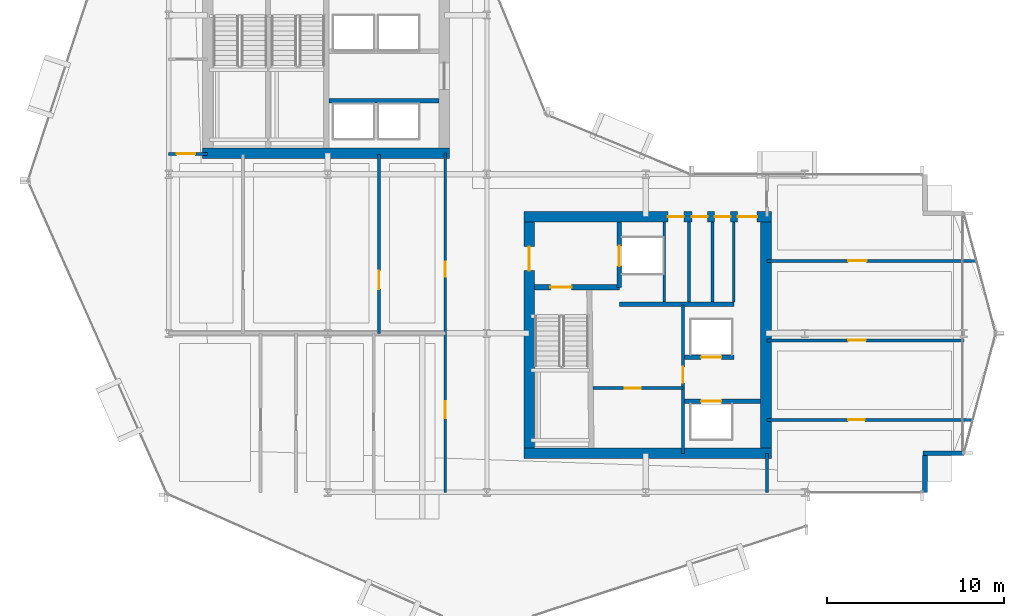
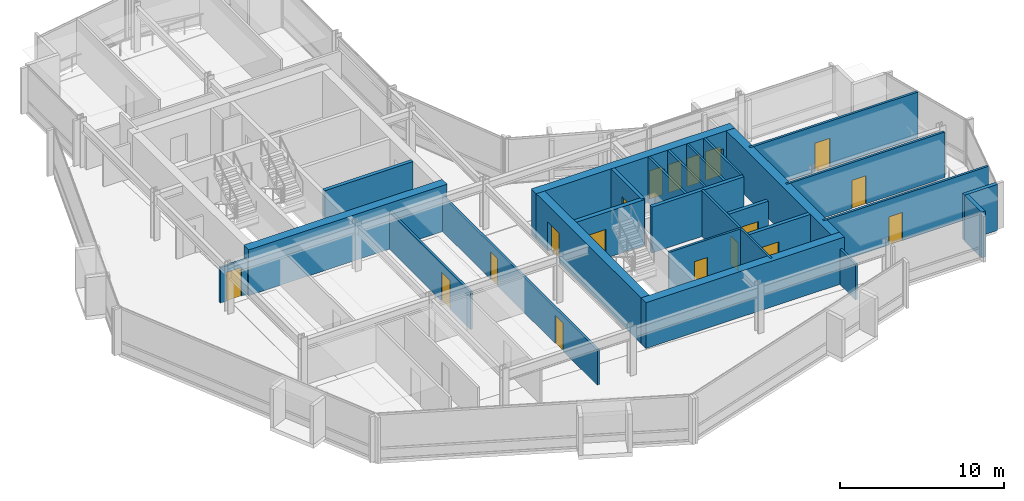
# One storey, part 22 of 29: 26 walls, 18 doors, 18 openings.
"""IFC4 building model written with IfcOpenShell, lengths in metres."""

from ifc_helpers import new_model, si_unit, direction, frame, frame_2d, origin, place, context, subcontext, project, spatial, rectangle, extrude, material, layer, layer_set, type_object, element, fill, save


model = new_model("IFC4")

# Units and contexts
model_context = context("Model", 3, precision=1e-05, world=origin(), true_north=direction((0.0, 1.0)))
body_context = subcontext(model_context, "Body", "Model", "MODEL_VIEW")
ifc_project = project(units=[si_unit("LENGTHUNIT", "METRE"), si_unit("AREAUNIT", "SQUARE_METRE"), si_unit("VOLUMEUNIT", "CUBIC_METRE"), si_unit("PLANEANGLEUNIT", "RADIAN"), si_unit("MASSUNIT", "GRAM", prefix="KILO")], contexts=[model_context])

# Site, building, storey
site_placement = place(None, origin())
site = spatial("IfcSite", under=ifc_project, at=site_placement, CompositionType="ELEMENT")
building_placement = place(site_placement, origin())
building = spatial("IfcBuilding", under=site, at=building_placement, Name="Solvaryn Broadcast Tower", CompositionType="ELEMENT")
storey_placement = place(building_placement, frame((0.0, 0.0, 117.39990234375)))
storey = spatial("IfcBuildingStorey", under=building, at=storey_placement, Name="L28", CompositionType="ELEMENT", Elevation=117.39990234375)

# Walls
ifc_material_1 = material(Name="Concrete f'c 70 MPa", Category="concrete")
ifc_layer_1 = layer(ifc_material_1, 0.60009765625)
ifc_layer_set_1 = layer_set([ifc_layer_1], Name="CW-SHEAR-600")
wall_type_1 = type_object("IfcWallType", Name="CW-SHEAR-600", PredefinedType="SHEAR", material=ifc_layer_set_1)
for number, where, z_axis, x_axis, name in (
    (1, (10.89990234375, 28.199951171875, 0.0), (0.0, 0.0, 1.0), (1.0, 0.0, 0.0), "L28 West Core South Shear Wall"),
    (2, (29.10009765625, 11.199951171875, 0.0), (0.0, 0.0, 1.0), (1.0, 0.0, 0.0), "L28 East Core South Shear Wall"),
):
    element("IfcWall", number, at=place(storey_placement, frame(where, z_axis=z_axis, x_axis=x_axis)), inside=storey, type_object=wall_type_1, Name=name, PredefinedType="SHEAR", context=body_context, shape_type="SweptSolid", body=[
        extrude(rectangle(XDim=14.0, YDim=0.60009765625, at=frame_2d((7.0, 0.0))), origin(), (0.0, 0.0, 1.0), 3.420166015625),
    ])

# Wall, openings, doors
wall_1_placement = place(storey_placement, frame((43.10009765625, 24.60009765625, 0.0), z_axis=(0.0, 0.0, 1.0), x_axis=(-1.0, 0.0, 0.0)))
wall_1 = element("IfcWall", 3, at=wall_1_placement, inside=storey, type_object=wall_type_1, Name="L28 East Core North Shear Wall", PredefinedType="SHEAR", context=body_context, shape_type="SweptSolid", body=[
    extrude(rectangle(XDim=14.0, YDim=0.60009765625, at=frame_2d((7.0, 0.0))), origin(), (0.0, 0.0, 1.0), 3.420166015625),
])
opening_1_placement = place(wall_1_placement, frame((0.800048828125, 0.0, 0.0)))
opening_1 = element("IfcOpeningElement", 4, at=opening_1_placement, cuts=wall_1, Name="Opening FD90C", PredefinedType="OPENING", context=body_context, shape_type="SweptSolid", body=[
    extrude(rectangle(XDim=1.10009765625, YDim=2.14990234375, at=frame_2d((0.550048828125, 1.074951171875))), frame((0.0, 0.31005859375, 0.0), z_axis=(0.0, -1.0, 0.0), x_axis=(1.0, 0.0, 0.0)), (0.0, 0.0, 1.0), 0.6201171875),
])
opening_2_placement = place(wall_1_placement, frame((2.300048828125, 0.0, 0.0)))
opening_2 = element("IfcOpeningElement", 5, at=opening_2_placement, cuts=wall_1, Name="Opening FD60C", PredefinedType="OPENING", context=body_context, shape_type="SweptSolid", body=[
    extrude(rectangle(XDim=0.89990234375, YDim=2.10009765625, at=frame_2d((0.449951171875, 1.050048828125))), frame((0.0, 0.31005859375, 0.0), z_axis=(0.0, -1.0, 0.0), x_axis=(1.0, 0.0, 0.0)), (0.0, 0.0, 1.0), 0.6201171875),
])
opening_3_placement = place(wall_1_placement, frame((3.60009765625, 0.0, 0.0)))
opening_3 = element("IfcOpeningElement", 6, at=opening_3_placement, cuts=wall_1, Name="Opening FD60C", PredefinedType="OPENING", context=body_context, shape_type="SweptSolid", body=[
    extrude(rectangle(XDim=0.89990234375, YDim=2.10009765625, at=frame_2d((0.449951171875, 1.050048828125))), frame((0.0, 0.31005859375, 0.0), z_axis=(0.0, -1.0, 0.0), x_axis=(1.0, 0.0, 0.0)), (0.0, 0.0, 1.0), 0.6201171875),
])
opening_4_placement = place(wall_1_placement, frame((4.949951171875, 0.0, 0.0)))
opening_4 = element("IfcOpeningElement", 7, at=opening_4_placement, cuts=wall_1, Name="Opening FD60C", PredefinedType="OPENING", context=body_context, shape_type="SweptSolid", body=[
    extrude(rectangle(XDim=0.89990234375, YDim=2.10009765625, at=frame_2d((0.449951171875, 1.050048828125))), frame((0.0, 0.31005859375, 0.0), z_axis=(0.0, -1.0, 0.0), x_axis=(1.0, 0.0, 0.0)), (0.0, 0.0, 1.0), 0.6201171875),
])
ifc_material_2 = material(Name="Flush Acoustic Steel and Timber Door Assembly", Category="steel")
door_type_1 = type_object("IfcDoorType", Name="FD60-SERV-900X2100", OperationType="NOTDEFINED", PredefinedType="DOOR", material=ifc_material_2)
door_1_placement = place(opening_2_placement, origin())
door_1 = element("IfcDoor", 8, at=door_1_placement, inside=storey, type_object=door_type_1, Name="L28 Core Wellness Room Door", OperationType="SINGLE_SWING_RIGHT", OverallHeight=2.10009765625, OverallWidth=0.89990234375, PredefinedType="DOOR", context=body_context, shape_type="SweptSolid", body=[
    extrude(rectangle(XDim=0.89990234375, YDim=2.10009765625, at=frame_2d((0.449951171875, 1.050048828125))), frame((0.0, 0.02490234375, 0.0), z_axis=(0.0, -1.0, 0.0), x_axis=(1.0, 0.0, 0.0)), (0.0, 0.0, 1.0), 0.050048828125),
])
fill(opening_2, door_1)
door_2_placement = place(opening_3_placement, origin())
door_2 = element("IfcDoor", 9, at=door_2_placement, inside=storey, type_object=door_type_1, Name="L28 Staff Restroom Door", OperationType="SINGLE_SWING_LEFT", OverallHeight=2.10009765625, OverallWidth=0.89990234375, PredefinedType="DOOR", context=body_context, shape_type="SweptSolid", body=[
    extrude(rectangle(XDim=0.89990234375, YDim=2.10009765625, at=frame_2d((0.449951171875, 1.050048828125))), frame((0.0, 0.02490234375, 0.0), z_axis=(0.0, -1.0, 0.0), x_axis=(1.0, 0.0, 0.0)), (0.0, 0.0, 1.0), 0.050048828125),
])
fill(opening_3, door_2)
door_3_placement = place(opening_4_placement, origin())
door_3 = element("IfcDoor", 10, at=door_3_placement, inside=storey, type_object=door_type_1, Name="L28 Accessible WC Door", OperationType="SINGLE_SWING_RIGHT", OverallHeight=2.10009765625, OverallWidth=0.89990234375, PredefinedType="DOOR", context=body_context, shape_type="SweptSolid", body=[
    extrude(rectangle(XDim=0.89990234375, YDim=2.10009765625, at=frame_2d((0.449951171875, 1.050048828125))), frame((0.0, 0.02490234375, 0.0), z_axis=(0.0, -1.0, 0.0), x_axis=(1.0, 0.0, 0.0)), (0.0, 0.0, 1.0), 0.050048828125),
])
fill(opening_4, door_3)
ifc_material_3 = material(Name="Flush Acoustic Steel and Timber Door Assembly", Category="steel")
door_type_2 = type_object("IfcDoorType", Name="FD90-PLANT-1100X2150", OperationType="NOTDEFINED", PredefinedType="DOOR", material=ifc_material_3)
door_4_placement = place(opening_1_placement, origin())
door_4 = element("IfcDoor", 11, at=door_4_placement, inside=storey, type_object=door_type_2, Name="L28 East Core Lobby Corridor Door", OperationType="SINGLE_SWING_LEFT", OverallHeight=2.14990234375, OverallWidth=1.10009765625, PredefinedType="DOOR", context=body_context, shape_type="SweptSolid", body=[
    extrude(rectangle(XDim=1.10009765625, YDim=2.14990234375, at=frame_2d((0.550048828125, 1.074951171875))), frame((0.0, 0.02490234375, 0.0), z_axis=(0.0, -1.0, 0.0), x_axis=(1.0, 0.0, 0.0)), (0.0, 0.0, 1.0), 0.050048828125),
])
fill(opening_1, door_4)

# Wall, opening, door
wall_2_placement = place(storey_placement, frame((29.39990234375, 24.300048828125, 0.0), z_axis=(0.0, 0.0, 1.0), x_axis=(0.0, -1.0, 0.0)))
wall_2 = element("IfcWall", 12, at=wall_2_placement, inside=storey, type_object=wall_type_1, Name="L28 East Core West Shear Wall", PredefinedType="SHEAR", context=body_context, shape_type="SweptSolid", body=[
    extrude(rectangle(XDim=12.800048828125, YDim=0.60009765625, at=frame_2d((6.39990234375, 0.0))), origin(), (0.0, 0.0, 1.0), 3.420166015625),
])
opening_5_placement = place(wall_2_placement, frame((1.39990234375, 0.0, 0.0)))
opening_5 = element("IfcOpeningElement", 13, at=opening_5_placement, cuts=wall_2, Name="Opening FD90B", PredefinedType="OPENING", context=body_context, shape_type="SweptSolid", body=[
    extrude(rectangle(XDim=1.35009765625, YDim=2.14990234375, at=frame_2d((0.675048828125, 1.074951171875))), frame((0.0, 0.31005859375, 0.0), z_axis=(0.0, -1.0, 0.0), x_axis=(1.0, 0.0, 0.0)), (0.0, 0.0, 1.0), 0.6201171875),
])
ifc_material_4 = material(Name="Flush Acoustic Steel and Timber Door Assembly", Category="steel")
door_type_3 = type_object("IfcDoorType", Name="FD90-LOBBY-1350X2150", OperationType="NOTDEFINED", PredefinedType="DOOR", material=ifc_material_4)
door_5_placement = place(opening_5_placement, origin())
door_5 = element("IfcDoor", 14, at=door_5_placement, inside=storey, type_object=door_type_3, Name="L28 East FSAE Lobby Door", OperationType="SINGLE_SWING_RIGHT", OverallHeight=2.14990234375, OverallWidth=1.35009765625, PredefinedType="DOOR", context=body_context, shape_type="SweptSolid", body=[
    extrude(rectangle(XDim=1.35009765625, YDim=2.14990234375, at=frame_2d((0.675048828125, 1.074951171875))), frame((0.0, 0.02490234375, 0.0), z_axis=(0.0, -1.0, 0.0), x_axis=(1.0, 0.0, 0.0)), (0.0, 0.0, 1.0), 0.050048828125),
])
fill(opening_5, door_5)

# Walls
wall_3_placement = place(storey_placement, frame((42.800048828125, 11.5, 0.0), z_axis=(0.0, 0.0, 1.0), x_axis=(0.0, 1.0, 0.0)))
element("IfcWall", 15, at=wall_3_placement, inside=storey, type_object=wall_type_1, Name="L28 East Core East Shear Wall", PredefinedType="SHEAR", context=body_context, shape_type="SweptSolid", body=[
    extrude(rectangle(XDim=12.800048828125, YDim=0.60009765625, at=frame_2d((6.39990234375, 0.0))), origin(), (0.0, 0.0, 1.0), 3.420166015625),
])
ifc_material_5 = material(Name="Concrete f'c 50 MPa", Category="concrete")
ifc_layer_2 = layer(ifc_material_5, 0.260009765625)
ifc_layer_set_2 = layer_set([ifc_layer_2], Name="EW-PIER-260")
wall_type_2 = type_object("IfcWallType", Name="EW-PIER-260", PredefinedType="SOLIDWALL", material=ifc_layer_set_2)
wall_4_placement = place(storey_placement, frame((51.800048828125, 9.0, 0.0), z_axis=(0.0, 0.0, 1.0), x_axis=(0.0, 1.0, 0.0)))
element("IfcWall", 16, at=wall_4_placement, inside=storey, type_object=wall_type_2, Name="L28 Notched Corner Pier Wall NSE1", PredefinedType="SOLIDWALL", context=body_context, shape_type="SweptSolid", body=[
    extrude(rectangle(XDim=2.080078125, YDim=0.260009765625, at=frame_2d((1.0400390625, 0.0))), origin(), (0.0, 0.0, 1.0), 3.420166015625),
])
wall_5_placement = place(storey_placement, frame((51.679931640625, 11.199951171875, 0.0), z_axis=(0.0, 0.0, 1.0), x_axis=(1.0, 0.0, 0.0)))
element("IfcWall", 17, at=wall_5_placement, inside=storey, type_object=wall_type_2, Name="L28 Notched Corner Pier Wall NSE2", PredefinedType="SOLIDWALL", context=body_context, shape_type="SweptSolid", body=[
    extrude(rectangle(XDim=2.320068359375, YDim=0.260009765625, at=frame_2d((1.16015625, 0.0))), origin(), (0.0, 0.0, 1.0), 3.420166015625),
])

# Wall, opening, door
ifc_material_6 = material(Name="Metal-Stud Service Core Partition")
ifc_layer_3 = layer(ifc_material_6, 0.14990234375)
ifc_layer_set_3 = layer_set([ifc_layer_3], Name="IW-PART-150")
wall_type_3 = type_object("IfcWallType", Name="IW-PART-150", PredefinedType="PARTITIONING", material=ifc_layer_set_3)
wall_6_placement = place(storey_placement, frame((33.0, 14.89990234375, 0.0), z_axis=(0.0, 0.0, 1.0), x_axis=(1.0, 0.0, 0.0)))
wall_6 = element("IfcWall", 18, at=wall_6_placement, inside=storey, type_object=wall_type_3, Name="L28 Interior Partition IW-L28-RPL-H", PredefinedType="PARTITIONING", context=body_context, shape_type="SweptSolid", body=[
    extrude(rectangle(XDim=5.10009765625, YDim=0.14990234375, at=frame_2d((2.550048828125, 0.0))), origin(), (0.0, 0.0, 1.0), 3.420166015625),
])
opening_6_placement = place(wall_6_placement, frame((1.800048828125, 0.0, 0.0)))
opening_6 = element("IfcOpeningElement", 19, at=opening_6_placement, cuts=wall_6, Name="Opening FD60C", PredefinedType="OPENING", context=body_context, shape_type="SweptSolid", body=[
    extrude(rectangle(XDim=0.89990234375, YDim=2.10009765625, at=frame_2d((0.449951171875, 1.050048828125))), frame((0.0, 0.0849609375, 0.0), z_axis=(0.0, -1.0, 0.0), x_axis=(1.0, 0.0, 0.0)), (0.0, 0.0, 1.0), 0.169921875),
])
door_6_placement = place(opening_6_placement, origin())
door_6 = element("IfcDoor", 20, at=door_6_placement, inside=storey, type_object=door_type_1, Name="L28 Door DR-L28-RPL1", OperationType="SINGLE_SWING_RIGHT", OverallHeight=2.10009765625, OverallWidth=0.89990234375, PredefinedType="DOOR", context=body_context, shape_type="SweptSolid", body=[
    extrude(rectangle(XDim=0.89990234375, YDim=2.10009765625, at=frame_2d((0.449951171875, 1.050048828125))), frame((0.0, 0.02490234375, 0.0), z_axis=(0.0, -1.0, 0.0), x_axis=(1.0, 0.0, 0.0)), (0.0, 0.0, 1.0), 0.050048828125),
])
fill(opening_6, door_6)

wall_7_placement = place(storey_placement, frame((38.10009765625, 11.199951171875, 0.0), z_axis=(0.0, 0.0, 1.0), x_axis=(0.0, 1.0, 0.0)))
wall_7 = element("IfcWall", 21, at=wall_7_placement, inside=storey, type_object=wall_type_3, Name="L28 Interior Partition IW-L28-RPL-E", PredefinedType="PARTITIONING", context=body_context, shape_type="SweptSolid", body=[
    extrude(rectangle(XDim=8.400146484375, YDim=0.14990234375, at=frame_2d((4.2001953125, 0.0))), origin(), (0.0, 0.0, 1.0), 3.420166015625),
])
opening_7_placement = place(wall_7_placement, frame((4.0, 0.0, 0.0)))
opening_7 = element("IfcOpeningElement", 22, at=opening_7_placement, cuts=wall_7, Name="Opening FD60C", PredefinedType="OPENING", context=body_context, shape_type="SweptSolid", body=[
    extrude(rectangle(XDim=0.89990234375, YDim=2.10009765625, at=frame_2d((0.449951171875, 1.050048828125))), frame((0.0, 0.0849609375, 0.0), z_axis=(0.0, -1.0, 0.0), x_axis=(1.0, 0.0, 0.0)), (0.0, 0.0, 1.0), 0.169921875),
])
door_7_placement = place(opening_7_placement, origin())
door_7 = element("IfcDoor", 23, at=door_7_placement, inside=storey, type_object=door_type_1, Name="L28 Door DR-L28-RPL2", OperationType="SINGLE_SWING_LEFT", OverallHeight=2.10009765625, OverallWidth=0.89990234375, PredefinedType="DOOR", context=body_context, shape_type="SweptSolid", body=[
    extrude(rectangle(XDim=0.89990234375, YDim=2.10009765625, at=frame_2d((0.449951171875, 1.050048828125))), frame((0.0, 0.02490234375, 0.0), z_axis=(0.0, -1.0, 0.0), x_axis=(1.0, 0.0, 0.0)), (0.0, 0.0, 1.0), 0.050048828125),
])
fill(opening_7, door_7)

# Walls
for number, where, z_axis, x_axis, name in (
    (24, (37.050048828125, 19.780029296875, 0.0), (0.0, 0.0, 1.0), (0.0, 1.0, 0.0), "L28 Interior Partition IW-L28-CE-FL2E"),
    (25, (38.43994140625, 19.780029296875, 0.0), (0.0, 0.0, 1.0), (0.0, 1.0, 0.0), "L28 Interior Partition IW-L28-CE-V1"),
    (26, (39.77001953125, 19.780029296875, 0.0), (0.0, 0.0, 1.0), (0.0, 1.0, 0.0), "L28 Interior Partition IW-L28-CE-V2"),
    (27, (40.97998046875, 19.780029296875, 0.0), (0.0, 0.0, 1.0), (0.0, 1.0, 0.0), "L28 Interior Partition IW-L28-CE-V3"),
):
    element("IfcWall", number, at=place(storey_placement, frame(where, z_axis=z_axis, x_axis=x_axis)), inside=storey, type_object=wall_type_3, Name=name, PredefinedType="PARTITIONING", context=body_context, shape_type="SweptSolid", body=[
        extrude(rectangle(XDim=4.52001953125, YDim=0.14990234375, at=frame_2d((2.260009765625, 0.0))), origin(), (0.0, 0.0, 1.0), 3.420166015625),
    ])

# Wall, opening, door
ifc_material_7 = material(Name="Metal-Stud Gypsum Office Partition")
ifc_layer_4 = layer(ifc_material_7, 0.159912109375)
ifc_layer_set_4 = layer_set([ifc_layer_4], Name="IW-PART-160")
wall_type_4 = type_object("IfcWallType", Name="IW-PART-160", PredefinedType="PARTITIONING", material=ifc_layer_set_4)
wall_8_placement = place(storey_placement, frame((9.0, 28.14990234375, 0.0), z_axis=(0.0, 0.0, 1.0), x_axis=(1.0, 0.0, 0.0)))
wall_8 = element("IfcWall", 28, at=wall_8_placement, inside=storey, type_object=wall_type_4, Name="L28 Interior Partition IW-L28-WM-S", PredefinedType="PARTITIONING", context=body_context, shape_type="SweptSolid", body=[
    extrude(rectangle(XDim=2.199951171875, YDim=0.159912109375, at=frame_2d((1.10009765625, 0.0))), origin(), (0.0, 0.0, 1.0), 2.634033203125),
])
opening_8_placement = place(wall_8_placement, frame((0.449951171875, 0.0, 0.0)))
opening_8 = element("IfcOpeningElement", 29, at=opening_8_placement, cuts=wall_8, Name="Opening ID03", PredefinedType="OPENING", context=body_context, shape_type="SweptSolid", body=[
    extrude(rectangle(XDim=1.050048828125, YDim=2.14990234375, at=frame_2d((0.52490234375, 1.074951171875))), frame((0.0, 0.090087890625, 0.0), z_axis=(0.0, -1.0, 0.0), x_axis=(1.0, 0.0, 0.0)), (0.0, 0.0, 1.0), 0.179931640625),
])
ifc_material_8 = material(Name="Flush Acoustic Steel and Timber Door Assembly", Category="steel")
door_type_4 = type_object("IfcDoorType", Name="ID-03-1050X2150", OperationType="NOTDEFINED", PredefinedType="DOOR", material=ifc_material_8)
door_8_placement = place(opening_8_placement, origin())
door_8 = element("IfcDoor", 30, at=door_8_placement, inside=storey, type_object=door_type_4, Name="L28 Door DR-L28-WM0", OperationType="SINGLE_SWING_LEFT", OverallHeight=2.14990234375, OverallWidth=1.050048828125, PredefinedType="DOOR", context=body_context, shape_type="SweptSolid", body=[
    extrude(rectangle(XDim=1.050048828125, YDim=2.14990234375, at=frame_2d((0.52490234375, 1.074951171875))), frame((0.0, 0.02490234375, 0.0), z_axis=(0.0, -1.0, 0.0), x_axis=(1.0, 0.0, 0.0)), (0.0, 0.0, 1.0), 0.050048828125),
])
fill(opening_8, door_8)

# Wall, openings, doors
wall_9_placement = place(storey_placement, frame((24.64990234375, 9.0, 0.0), z_axis=(0.0, 0.0, 1.0), x_axis=(0.0, 1.0, 0.0)))
wall_9 = element("IfcWall", 31, at=wall_9_placement, inside=storey, type_object=wall_type_4, Name="L28 Interior Partition IW-L28-SW-EB", PredefinedType="PARTITIONING", context=body_context, shape_type="SweptSolid", body=[
    extrude(rectangle(XDim=19.199951171875, YDim=0.159912109375, at=frame_2d((9.60009765625, 0.0))), origin(), (0.0, 0.0, 1.0), 2.634033203125),
])
opening_9_placement = place(wall_9_placement, frame((12.199951171875, 0.0, 0.0)))
opening_9 = element("IfcOpeningElement", 32, at=opening_9_placement, cuts=wall_9, Name="Opening ID07", PredefinedType="OPENING", context=body_context, shape_type="SweptSolid", body=[
    extrude(rectangle(XDim=0.860107421875, YDim=2.050048828125, at=frame_2d((0.43017578125, 1.02490234375))), frame((0.0, 0.090087890625, 0.0), z_axis=(0.0, -1.0, 0.0), x_axis=(1.0, 0.0, 0.0)), (0.0, 0.0, 1.0), 0.179931640625),
])
opening_10_placement = place(wall_9_placement, frame((4.199951171875, 0.0, 0.0)))
opening_10 = element("IfcOpeningElement", 33, at=opening_10_placement, cuts=wall_9, Name="Opening ID01", PredefinedType="OPENING", context=body_context, shape_type="SweptSolid", body=[
    extrude(rectangle(XDim=0.949951171875, YDim=2.10009765625, at=frame_2d((0.47509765625, 1.050048828125))), frame((0.0, 0.090087890625, 0.0), z_axis=(0.0, -1.0, 0.0), x_axis=(1.0, 0.0, 0.0)), (0.0, 0.0, 1.0), 0.179931640625),
])
ifc_material_9 = material(Name="Flush Acoustic Steel and Timber Door Assembly", Category="steel")
door_type_5 = type_object("IfcDoorType", Name="ID-01-950X2100", OperationType="NOTDEFINED", PredefinedType="DOOR", material=ifc_material_9)
door_9_placement = place(opening_10_placement, origin())
door_9 = element("IfcDoor", 34, at=door_9_placement, inside=storey, type_object=door_type_5, Name="L28 Door DR-L28-SW-ES", OperationType="SINGLE_SWING_RIGHT", OverallHeight=2.10009765625, OverallWidth=0.949951171875, PredefinedType="DOOR", context=body_context, shape_type="SweptSolid", body=[
    extrude(rectangle(XDim=0.949951171875, YDim=2.10009765625, at=frame_2d((0.47509765625, 1.050048828125))), frame((0.0, 0.02490234375, 0.0), z_axis=(0.0, -1.0, 0.0), x_axis=(1.0, 0.0, 0.0)), (0.0, 0.0, 1.0), 0.050048828125),
])
fill(opening_10, door_9)
ifc_material_10 = material(Name="Flush Acoustic Steel and Timber Door Assembly", Category="steel")
door_type_6 = type_object("IfcDoorType", Name="ID-07-860X2050", OperationType="NOTDEFINED", PredefinedType="DOOR", material=ifc_material_10)
door_10_placement = place(opening_9_placement, origin())
door_10 = element("IfcDoor", 35, at=door_10_placement, inside=storey, type_object=door_type_6, Name="L28 Door DR-L28-SW-EN", OperationType="SINGLE_SWING_LEFT", OverallHeight=2.050048828125, OverallWidth=0.860107421875, PredefinedType="DOOR", context=body_context, shape_type="SweptSolid", body=[
    extrude(rectangle(XDim=0.860107421875, YDim=2.050048828125, at=frame_2d((0.43017578125, 1.02490234375))), frame((0.0, 0.02490234375, 0.0), z_axis=(0.0, -1.0, 0.0), x_axis=(1.0, 0.0, 0.0)), (0.0, 0.0, 1.0), 0.050048828125),
])
fill(opening_9, door_10)

# Wall, opening, door
wall_10_placement = place(storey_placement, frame((20.89990234375, 18.0, 0.0), z_axis=(0.0, 0.0, 1.0), x_axis=(0.0, 1.0, 0.0)))
wall_10 = element("IfcWall", 36, at=wall_10_placement, inside=storey, type_object=wall_type_4, Name="L28 Interior Partition IW-L28-SWN-V2", PredefinedType="PARTITIONING", context=body_context, shape_type="SweptSolid", body=[
    extrude(rectangle(XDim=10.1298828125, YDim=0.159912109375, at=frame_2d((5.06494140625, 0.0))), origin(), (0.0, 0.0, 1.0), 2.7890625),
])
opening_11_placement = place(wall_10_placement, frame((2.5, 0.0, 0.0)))
opening_11 = element("IfcOpeningElement", 37, at=opening_11_placement, cuts=wall_10, Name="Opening ID03", PredefinedType="OPENING", context=body_context, shape_type="SweptSolid", body=[
    extrude(rectangle(XDim=1.050048828125, YDim=2.14990234375, at=frame_2d((0.52490234375, 1.074951171875))), frame((0.0, 0.090087890625, 0.0), z_axis=(0.0, -1.0, 0.0), x_axis=(1.0, 0.0, 0.0)), (0.0, 0.0, 1.0), 0.179931640625),
])
door_11_placement = place(opening_11_placement, origin())
door_11 = element("IfcDoor", 38, at=door_11_placement, inside=storey, type_object=door_type_4, Name="L28 Door DR-L28-SWN-2", OperationType="SINGLE_SWING_RIGHT", OverallHeight=2.14990234375, OverallWidth=1.050048828125, PredefinedType="DOOR", context=body_context, shape_type="SweptSolid", body=[
    extrude(rectangle(XDim=1.050048828125, YDim=2.14990234375, at=frame_2d((0.52490234375, 1.074951171875))), frame((0.0, 0.02490234375, 0.0), z_axis=(0.0, -1.0, 0.0), x_axis=(1.0, 0.0, 0.0)), (0.0, 0.0, 1.0), 0.050048828125),
])
fill(opening_11, door_11)

# Wall
wall_11_placement = place(storey_placement, frame((42.85009765625, 9.0, 0.0), z_axis=(0.0, 0.0, 1.0), x_axis=(0.0, 1.0, 0.0)))
element("IfcWall", 39, at=wall_11_placement, inside=storey, type_object=wall_type_4, Name="L28 Interior Partition IW-L28-SC-E", PredefinedType="PARTITIONING", context=body_context, shape_type="SweptSolid", body=[
    extrude(rectangle(XDim=2.199951171875, YDim=0.159912109375, at=frame_2d((1.10009765625, 0.0))), origin(), (0.0, 0.0, 1.0), 2.634033203125),
])

# Wall, opening, door
wall_12_placement = place(storey_placement, frame((42.85009765625, 13.10009765625, 0.0), z_axis=(0.0, 0.0, 1.0), x_axis=(1.0, 0.0, 0.0)))
wall_12 = element("IfcWall", 40, at=wall_12_placement, inside=storey, type_object=wall_type_4, Name="L28 Interior Partition IW-L28-EW-H1", PredefinedType="PARTITIONING", context=body_context, shape_type="SweptSolid", body=[
    extrude(rectangle(XDim=11.65283203125, YDim=0.159912109375, at=frame_2d((5.826416015625, 0.0))), origin(), (0.0, 0.0, 1.0), 3.420166015625),
])
opening_12_placement = place(wall_12_placement, frame((4.60009765625, 0.0, 0.0)))
opening_12 = element("IfcOpeningElement", 41, at=opening_12_placement, cuts=wall_12, Name="Opening ID01", PredefinedType="OPENING", context=body_context, shape_type="SweptSolid", body=[
    extrude(rectangle(XDim=0.949951171875, YDim=2.10009765625, at=frame_2d((0.47509765625, 1.050048828125))), frame((0.0, 0.090087890625, 0.0), z_axis=(0.0, -1.0, 0.0), x_axis=(1.0, 0.0, 0.0)), (0.0, 0.0, 1.0), 0.179931640625),
])
door_12_placement = place(opening_12_placement, origin())
door_12 = element("IfcDoor", 42, at=door_12_placement, inside=storey, type_object=door_type_5, Name="L28 Door DR-L28-EW-1", OperationType="SINGLE_SWING_RIGHT", OverallHeight=2.10009765625, OverallWidth=0.949951171875, PredefinedType="DOOR", context=body_context, shape_type="SweptSolid", body=[
    extrude(rectangle(XDim=0.949951171875, YDim=2.10009765625, at=frame_2d((0.47509765625, 1.050048828125))), frame((0.0, 0.02490234375, 0.0), z_axis=(0.0, -1.0, 0.0), x_axis=(1.0, 0.0, 0.0)), (0.0, 0.0, 1.0), 0.050048828125),
])
fill(opening_12, door_12)

wall_13_placement = place(storey_placement, frame((42.85009765625, 17.60009765625, 0.0), z_axis=(0.0, 0.0, 1.0), x_axis=(1.0, 0.0, 0.0)))
wall_13 = element("IfcWall", 43, at=wall_13_placement, inside=storey, type_object=wall_type_4, Name="L28 Interior Partition IW-L28-EW-H2", PredefinedType="PARTITIONING", context=body_context, shape_type="SweptSolid", body=[
    extrude(rectangle(XDim=11.14990234375, YDim=0.159912109375, at=frame_2d((5.574951171875, 0.0))), origin(), (0.0, 0.0, 1.0), 3.420166015625),
])
opening_13_placement = place(wall_13_placement, frame((4.60009765625, 0.0, 0.0)))
opening_13 = element("IfcOpeningElement", 44, at=opening_13_placement, cuts=wall_13, Name="Opening ID02", PredefinedType="OPENING", context=body_context, shape_type="SweptSolid", body=[
    extrude(rectangle(XDim=1.0, YDim=2.10009765625, at=frame_2d((0.5, 1.050048828125))), frame((0.0, 0.090087890625, 0.0), z_axis=(0.0, -1.0, 0.0), x_axis=(1.0, 0.0, 0.0)), (0.0, 0.0, 1.0), 0.179931640625),
])
ifc_material_11 = material(Name="Flush Acoustic Steel and Timber Door Assembly", Category="steel")
door_type_7 = type_object("IfcDoorType", Name="ID-02-1000X2100", OperationType="NOTDEFINED", PredefinedType="DOOR", material=ifc_material_11)
door_13_placement = place(opening_13_placement, origin())
door_13 = element("IfcDoor", 45, at=door_13_placement, inside=storey, type_object=door_type_7, Name="L28 Door DR-L28-EW-2", OperationType="SINGLE_SWING_LEFT", OverallHeight=2.10009765625, OverallWidth=1.0, PredefinedType="DOOR", context=body_context, shape_type="SweptSolid", body=[
    extrude(rectangle(XDim=1.0, YDim=2.10009765625, at=frame_2d((0.5, 1.050048828125))), frame((0.0, 0.02490234375, 0.0), z_axis=(0.0, -1.0, 0.0), x_axis=(1.0, 0.0, 0.0)), (0.0, 0.0, 1.0), 0.050048828125),
])
fill(opening_13, door_13)

wall_14_placement = place(storey_placement, frame((42.85009765625, 22.10009765625, 0.0), z_axis=(0.0, 0.0, 1.0), x_axis=(1.0, 0.0, 0.0)))
wall_14 = element("IfcWall", 46, at=wall_14_placement, inside=storey, type_object=wall_type_4, Name="L28 Interior Partition IW-L28-EW-H3", PredefinedType="PARTITIONING", context=body_context, shape_type="SweptSolid", body=[
    extrude(rectangle(XDim=11.864990234375, YDim=0.159912109375, at=frame_2d((5.9326171875, 0.0))), origin(), (0.0, 0.0, 1.0), 3.420166015625),
])
opening_14_placement = place(wall_14_placement, frame((4.60009765625, 0.0, 0.0)))
opening_14 = element("IfcOpeningElement", 47, at=opening_14_placement, cuts=wall_14, Name="Opening ID03", PredefinedType="OPENING", context=body_context, shape_type="SweptSolid", body=[
    extrude(rectangle(XDim=1.050048828125, YDim=2.14990234375, at=frame_2d((0.52490234375, 1.074951171875))), frame((0.0, 0.090087890625, 0.0), z_axis=(0.0, -1.0, 0.0), x_axis=(1.0, 0.0, 0.0)), (0.0, 0.0, 1.0), 0.179931640625),
])
door_14_placement = place(opening_14_placement, origin())
door_14 = element("IfcDoor", 48, at=door_14_placement, inside=storey, type_object=door_type_4, Name="L28 Door DR-L28-EW-3", OperationType="SINGLE_SWING_RIGHT", OverallHeight=2.14990234375, OverallWidth=1.050048828125, PredefinedType="DOOR", context=body_context, shape_type="SweptSolid", body=[
    extrude(rectangle(XDim=1.050048828125, YDim=2.14990234375, at=frame_2d((0.52490234375, 1.074951171875))), frame((0.0, 0.02490234375, 0.0), z_axis=(0.0, -1.0, 0.0), x_axis=(1.0, 0.0, 0.0)), (0.0, 0.0, 1.0), 0.050048828125),
])
fill(opening_14, door_14)

# Wall
ifc_material_12 = material(Name="Concrete f'c 60 MPa", Category="concrete")
ifc_layer_5 = layer(ifc_material_12, 0.25)
ifc_layer_set_5 = layer_set([ifc_layer_5], Name="SW-SHAFT-250")
wall_type_5 = type_object("IfcWallType", Name="SW-SHAFT-250", PredefinedType="PARTITIONING", material=ifc_layer_set_5)
wall_15_placement = place(storey_placement, frame((18.070068359375, 31.14990234375, 0.0), z_axis=(0.0, 0.0, 1.0), x_axis=(1.0, 0.0, 0.0)))
element("IfcWall", 49, at=wall_15_placement, inside=storey, type_object=wall_type_5, Name="L28 High-Rise Lift Bank South Wall", PredefinedType="PARTITIONING", context=body_context, shape_type="SweptSolid", body=[
    extrude(rectangle(XDim=6.22998046875, YDim=0.25, at=frame_2d((3.114990234375, 0.0))), origin(), (0.0, 0.0, 1.0), 3.420166015625),
])

# Wall, opening, door
wall_16_placement = place(storey_placement, frame((34.5, 20.60009765625, 0.0), z_axis=(0.0, 0.0, 1.0), x_axis=(0.0, 1.0, 0.0)))
wall_16 = element("IfcWall", 50, at=wall_16_placement, inside=storey, type_object=wall_type_5, Name="L28 East FSAE Lobby East Wall", PredefinedType="PARTITIONING", context=body_context, shape_type="SweptSolid", body=[
    extrude(rectangle(XDim=3.699951171875, YDim=0.25, at=frame_2d((1.85009765625, 0.0))), origin(), (0.0, 0.0, 1.0), 3.420166015625),
])
opening_15_placement = place(wall_16_placement, frame((1.199951171875, 0.0, 0.0)))
opening_15 = element("IfcOpeningElement", 51, at=opening_15_placement, cuts=wall_16, Name="Opening LD01", PredefinedType="OPENING", context=body_context, shape_type="SweptSolid", body=[
    extrude(rectangle(XDim=1.14990234375, YDim=2.14990234375, at=frame_2d((0.574951171875, 1.074951171875))), frame((0.0, 0.135009765625, 0.0), z_axis=(0.0, -1.0, 0.0), x_axis=(1.0, 0.0, 0.0)), (0.0, 0.0, 1.0), 0.27001953125),
])
ifc_material_13 = material(Name="Flush Acoustic Steel and Timber Door Assembly", Category="steel")
door_type_8 = type_object("IfcDoorType", Name="LD-LIFT-1150X2150", OperationType="NOTDEFINED", PredefinedType="DOOR", material=ifc_material_13)
door_15_placement = place(opening_15_placement, origin())
door_15 = element("IfcDoor", 52, at=door_15_placement, inside=storey, type_object=door_type_8, Name="L28 FL2 Lift Landing Door", OperationType="DOUBLE_DOOR_SLIDING", OverallHeight=2.14990234375, OverallWidth=1.14990234375, PredefinedType="DOOR", context=body_context, shape_type="SweptSolid", body=[
    extrude(rectangle(XDim=1.14990234375, YDim=2.14990234375, at=frame_2d((0.574951171875, 1.074951171875))), frame((0.0, 0.02490234375, 0.0), z_axis=(0.0, -1.0, 0.0), x_axis=(1.0, 0.0, 0.0)), (0.0, 0.0, 1.0), 0.050048828125),
])
fill(opening_15, door_15)

# Wall
wall_17_placement = place(storey_placement, frame((34.5, 19.64990234375, 0.0), z_axis=(0.0, 0.0, 1.0), x_axis=(1.0, 0.0, 0.0)))
element("IfcWall", 53, at=wall_17_placement, inside=storey, type_object=wall_type_5, Name="L28 East Core Restroom South Wall", PredefinedType="PARTITIONING", context=body_context, shape_type="SweptSolid", body=[
    extrude(rectangle(XDim=6.47998046875, YDim=0.25, at=frame_2d((3.239990234375, 0.0))), origin(), (0.0, 0.0, 1.0), 3.420166015625),
])

# Wall, opening, door
wall_18_placement = place(storey_placement, frame((38.199951171875, 14.14990234375, 0.0), z_axis=(0.0, 0.0, 1.0), x_axis=(1.0, 0.0, 0.0)))
wall_18 = element("IfcWall", 54, at=wall_18_placement, inside=storey, type_object=wall_type_5, Name="L28 East Lift Bank South Wall", PredefinedType="PARTITIONING", context=body_context, shape_type="SweptSolid", body=[
    extrude(rectangle(XDim=4.300048828125, YDim=0.25, at=frame_2d((2.14990234375, 0.0))), origin(), (0.0, 0.0, 1.0), 3.420166015625),
])
opening_16_placement = place(wall_18_placement, frame((0.925048828125, 0.0, 0.0)))
opening_16 = element("IfcOpeningElement", 55, at=opening_16_placement, cuts=wall_18, Name="Opening LD01", PredefinedType="OPENING", context=body_context, shape_type="SweptSolid", body=[
    extrude(rectangle(XDim=1.14990234375, YDim=2.14990234375, at=frame_2d((0.574951171875, 1.074951171875))), frame((0.0, 0.135009765625, 0.0), z_axis=(0.0, -1.0, 0.0), x_axis=(1.0, 0.0, 0.0)), (0.0, 0.0, 1.0), 0.27001953125),
])
door_16_placement = place(opening_16_placement, origin())
door_16 = element("IfcDoor", 56, at=door_16_placement, inside=storey, type_object=door_type_8, Name="L28 PM1 Lift Landing Door", OperationType="DOUBLE_DOOR_SLIDING", OverallHeight=2.14990234375, OverallWidth=1.14990234375, PredefinedType="DOOR", context=body_context, shape_type="SweptSolid", body=[
    extrude(rectangle(XDim=1.14990234375, YDim=2.14990234375, at=frame_2d((0.574951171875, 1.074951171875))), frame((0.0, 0.02490234375, 0.0), z_axis=(0.0, -1.0, 0.0), x_axis=(1.0, 0.0, 0.0)), (0.0, 0.0, 1.0), 0.050048828125),
])
fill(opening_16, door_16)

wall_19_placement = place(storey_placement, frame((40.97998046875, 16.64990234375, 0.0), z_axis=(0.0, 0.0, 1.0), x_axis=(-1.0, 0.0, 0.0)))
wall_19 = element("IfcWall", 57, at=wall_19_placement, inside=storey, type_object=wall_type_5, Name="L28 East Lift Bank North Wall", PredefinedType="PARTITIONING", context=body_context, shape_type="SweptSolid", body=[
    extrude(rectangle(XDim=2.780029296875, YDim=0.25, at=frame_2d((1.39013671875, 0.0))), origin(), (0.0, 0.0, 1.0), 3.420166015625),
])
opening_17_placement = place(wall_19_placement, frame((0.705078125, 0.0, 0.0)))
opening_17 = element("IfcOpeningElement", 58, at=opening_17_placement, cuts=wall_19, Name="Opening LD01", PredefinedType="OPENING", context=body_context, shape_type="SweptSolid", body=[
    extrude(rectangle(XDim=1.14990234375, YDim=2.14990234375, at=frame_2d((0.574951171875, 1.074951171875))), frame((0.0, 0.135009765625, 0.0), z_axis=(0.0, -1.0, 0.0), x_axis=(1.0, 0.0, 0.0)), (0.0, 0.0, 1.0), 0.27001953125),
])
door_17_placement = place(opening_17_placement, origin())
door_17 = element("IfcDoor", 59, at=door_17_placement, inside=storey, type_object=door_type_8, Name="L28 PM2 Lift Landing Door", OperationType="DOUBLE_DOOR_SLIDING", OverallHeight=2.14990234375, OverallWidth=1.14990234375, PredefinedType="DOOR", context=body_context, shape_type="SweptSolid", body=[
    extrude(rectangle(XDim=1.14990234375, YDim=2.14990234375, at=frame_2d((0.574951171875, 1.074951171875))), frame((0.0, 0.02490234375, 0.0), z_axis=(0.0, -1.0, 0.0), x_axis=(1.0, 0.0, 0.0)), (0.0, 0.0, 1.0), 0.050048828125),
])
fill(opening_17, door_17)

ifc_material_14 = material(Name="Concrete f'c 70 MPa", Category="concrete")
ifc_layer_6 = layer(ifc_material_14, 0.300048828125)
ifc_layer_set_6 = layer_set([ifc_layer_6], Name="SW-SHAFT-300")
wall_type_6 = type_object("IfcWallType", Name="SW-SHAFT-300", PredefinedType="SHEAR", material=ifc_layer_set_6)
wall_20_placement = place(storey_placement, frame((34.5, 20.60009765625, 0.0), z_axis=(0.0, 0.0, 1.0), x_axis=(-1.0, 0.0, 0.0)))
wall_20 = element("IfcWall", 60, at=wall_20_placement, inside=storey, type_object=wall_type_6, Name="L28 East FSAE Lobby South Wall", PredefinedType="SHEAR", context=body_context, shape_type="SweptSolid", body=[
    extrude(rectangle(XDim=4.800048828125, YDim=0.300048828125, at=frame_2d((2.39990234375, 0.0))), origin(), (0.0, 0.0, 1.0), 3.420166015625),
])
opening_18_placement = place(wall_20_placement, frame((2.699951171875, 0.0, 0.0)))
opening_18 = element("IfcOpeningElement", 61, at=opening_18_placement, cuts=wall_20, Name="Opening FD90A", PredefinedType="OPENING", context=body_context, shape_type="SweptSolid", body=[
    extrude(rectangle(XDim=1.199951171875, YDim=2.14990234375, at=frame_2d((0.60009765625, 1.074951171875))), frame((0.0, 0.159912109375, 0.0), z_axis=(0.0, -1.0, 0.0), x_axis=(1.0, 0.0, 0.0)), (0.0, 0.0, 1.0), 0.320068359375),
])
ifc_material_15 = material(Name="Flush Acoustic Steel and Timber Door Assembly", Category="steel")
door_type_9 = type_object("IfcDoorType", Name="FD90-STAIR-1200X2150", OperationType="NOTDEFINED", PredefinedType="DOOR", material=ifc_material_15)
door_18_placement = place(opening_18_placement, origin())
door_18 = element("IfcDoor", 62, at=door_18_placement, inside=storey, type_object=door_type_9, Name="L28 Stair 3 Fire Door", OperationType="SINGLE_SWING_LEFT", OverallHeight=2.14990234375, OverallWidth=1.199951171875, PredefinedType="DOOR", context=body_context, shape_type="SweptSolid", body=[
    extrude(rectangle(XDim=1.199951171875, YDim=2.14990234375, at=frame_2d((0.60009765625, 1.074951171875))), frame((0.0, 0.02490234375, 0.0), z_axis=(0.0, -1.0, 0.0), x_axis=(1.0, 0.0, 0.0)), (0.0, 0.0, 1.0), 0.050048828125),
])
fill(opening_18, door_18)

save(model, "model.ifc")
